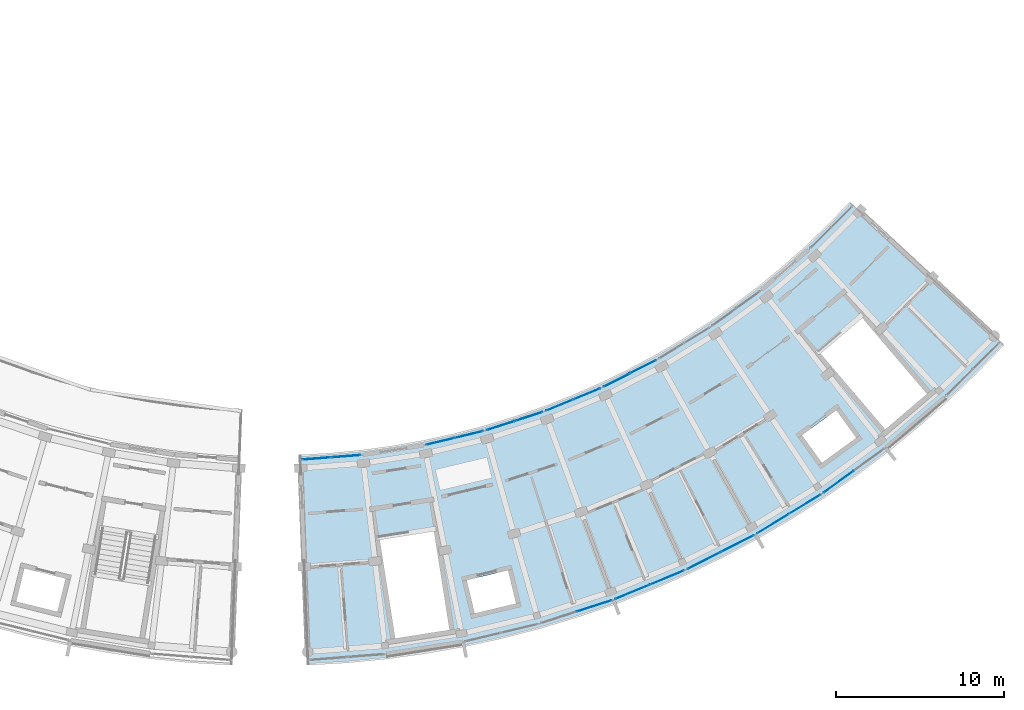
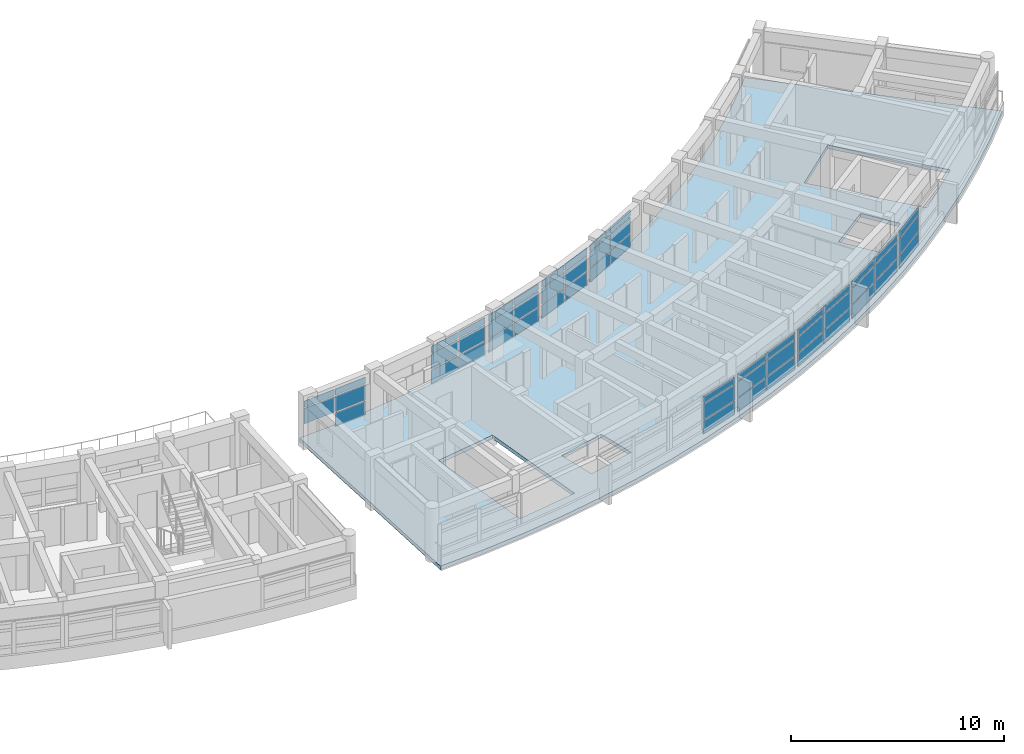
# One storey, part 25 of 54: 53 plates, 1 slab, 10 elements without a shape of their own.
"""IFC4 building model written with IfcOpenShell, lengths in metres."""

from ifc_helpers import new_model, si_unit, direction, frame, origin, origin_2d, place, context, subcontext, project, spatial, polyline, rectangle, outline, extrude, material, layer, layer_set, type_object, element, aggregate, save


model = new_model("IFC4")

# Units and contexts
model_context = context("Model", 3, precision=1e-05, world=origin(), true_north=direction((0.0, 1.0)))
body_context = subcontext(model_context, "Body", "Model", "MODEL_VIEW")
ifc_project = project(units=[si_unit("LENGTHUNIT", "METRE"), si_unit("AREAUNIT", "SQUARE_METRE"), si_unit("VOLUMEUNIT", "CUBIC_METRE"), si_unit("PLANEANGLEUNIT", "RADIAN"), si_unit("MASSUNIT", "GRAM", prefix="KILO")], contexts=[model_context])

# Site, building, storey
site_placement = place(None, origin())
site = spatial("IfcSite", under=ifc_project, at=site_placement, CompositionType="ELEMENT")
building_placement = place(site_placement, origin())
building = spatial("IfcBuilding", under=site, at=building_placement, Name="Zimvara Arc Housing Community", CompositionType="ELEMENT")
storey_placement = place(building_placement, frame((0.0, 0.0, 23.60009765625)))
storey = spatial("IfcBuildingStorey", under=building, at=storey_placement, Name="L07", CompositionType="ELEMENT", Elevation=23.60009765625)

# Curtain wall, plates
ifc_material_1 = material(Name="Anodised Aluminium AW-6063", Category="aluminium")
curtain_wall_type_1 = type_object("IfcCurtainWallType", Name="CW-SYS-08", PredefinedType="USERDEFINED", material=ifc_material_1)
curtain_wall_1_placement = place(storey_placement, origin())
curtain_wall_1 = element("IfcCurtainWall", 1, at=curtain_wall_1_placement, inside=storey, type_object=curtain_wall_type_1, Name="cw:blkD:L07:in:b0", ObjectType="CURTAIN WALL", PredefinedType="USERDEFINED")
ifc_material_2 = material(Name="Pale-Gold Anodised Aluminium Spandrel Panel", Category="aluminium")
ifc_layer_1 = layer(ifc_material_2, 0.035888671875)
ifc_layer_set_1 = layer_set([ifc_layer_1], Name="Pale-Gold Anodised Aluminium Spandrel Panel")
plate_type_1 = type_object("IfcPlateType", Name="CWP-GLD-36", PredefinedType="CURTAIN_PANEL", material=ifc_layer_set_1)
plate_1_placement = place(storey_placement, frame((128.7744140625, 62.55078125, 0.88232421875), z_axis=(0.0, 0.0, 1.0), x_axis=(0.996985524455, 0.077587782714, 0.0)))
plate_1 = element("IfcPlate", 2, at=plate_1_placement, type_object=plate_type_1, Name="CW08 panel 1.2", PredefinedType="CURTAIN_PANEL", context=body_context, shape_type="SweptSolid", body=[
    extrude(rectangle(XDim=1.7041015625, YDim=0.035888671875, at=origin_2d()), origin(), (0.0, 0.0, 1.0), 0.885009765625),
])
plate_2_placement = place(storey_placement, frame((128.7744140625, 62.55078125, 1.832275390625), z_axis=(0.0, 0.0, 1.0), x_axis=(0.996985524455, 0.077587782714, 0.0)))
plate_2 = element("IfcPlate", 3, at=plate_2_placement, type_object=plate_type_1, Name="CW08 panel 1.3", PredefinedType="CURTAIN_PANEL", context=body_context, shape_type="SweptSolid", body=[
    extrude(rectangle(XDim=1.7041015625, YDim=0.035888671875, at=origin_2d()), origin(), (0.0, 0.0, 1.0), 0.3525390625),
])
plate_3_placement = place(storey_placement, frame((130.538330078125, 62.68798828125, 0.06494140625), z_axis=(0.0, 0.0, 1.0), x_axis=(0.996985524455, 0.077587782714, 0.0)))
plate_3 = element("IfcPlate", 4, at=plate_3_placement, type_object=plate_type_1, Name="CW08 panel 2.1", PredefinedType="CURTAIN_PANEL", context=body_context, shape_type="SweptSolid", body=[
    extrude(rectangle(XDim=1.7041015625, YDim=0.035888671875, at=origin_2d()), origin(), (0.0, 0.0, 1.0), 0.75244140625),
])
plate_4_placement = place(storey_placement, frame((130.538330078125, 62.68798828125, 0.88232421875), z_axis=(0.0, 0.0, 1.0), x_axis=(0.996985524455, 0.077587782714, 0.0)))
plate_4 = element("IfcPlate", 5, at=plate_4_placement, type_object=plate_type_1, Name="CW08 panel 2.2", PredefinedType="CURTAIN_PANEL", context=body_context, shape_type="SweptSolid", body=[
    extrude(rectangle(XDim=1.7041015625, YDim=0.035888671875, at=origin_2d()), origin(), (0.0, 0.0, 1.0), 0.885009765625),
])
plate_5_placement = place(storey_placement, frame((130.538330078125, 62.68798828125, 1.832275390625), z_axis=(0.0, 0.0, 1.0), x_axis=(0.996985524455, 0.077587782714, 0.0)))
plate_5 = element("IfcPlate", 6, at=plate_5_placement, type_object=plate_type_1, Name="CW08 panel 2.3", PredefinedType="CURTAIN_PANEL", context=body_context, shape_type="SweptSolid", body=[
    extrude(rectangle(XDim=1.7041015625, YDim=0.035888671875, at=origin_2d()), origin(), (0.0, 0.0, 1.0), 0.3525390625),
])
aggregate(curtain_wall_1, [plate_1, plate_2, plate_3, plate_4, plate_5])

ifc_material_3 = material(Name="Anodised Aluminium AW-6063", Category="aluminium")
curtain_wall_type_2 = type_object("IfcCurtainWallType", Name="CW-SYS-04", PredefinedType="USERDEFINED", material=ifc_material_3)
curtain_wall_2_placement = place(storey_placement, origin())
curtain_wall_2 = element("IfcCurtainWall", 7, at=curtain_wall_2_placement, inside=storey, type_object=curtain_wall_type_2, Name="cw:blkD:L07:in:b3", ObjectType="CURTAIN WALL", PredefinedType="USERDEFINED")
plate_6_placement = place(storey_placement, frame((139.741455078125, 64.51025390625, 0.06494140625), z_axis=(0.0, 0.0, 1.0), x_axis=(0.951325950891, 0.308186526573, 0.0)))
plate_6 = element("IfcPlate", 8, at=plate_6_placement, type_object=plate_type_1, Name="CW04 panel 1.1", PredefinedType="CURTAIN_PANEL", context=body_context, shape_type="SweptSolid", body=[
    extrude(rectangle(XDim=1.7041015625, YDim=0.035888671875, at=origin_2d()), origin(), (0.0, 0.0, 1.0), 0.75244140625),
])
plate_7_placement = place(storey_placement, frame((139.741455078125, 64.51025390625, 0.88232421875), z_axis=(0.0, 0.0, 1.0), x_axis=(0.951325950891, 0.308186526573, 0.0)))
plate_7 = element("IfcPlate", 9, at=plate_7_placement, type_object=plate_type_1, Name="CW04 panel 1.2", PredefinedType="CURTAIN_PANEL", context=body_context, shape_type="SweptSolid", body=[
    extrude(rectangle(XDim=1.7041015625, YDim=0.035888671875, at=origin_2d()), origin(), (0.0, 0.0, 1.0), 0.885009765625),
])
plate_8_placement = place(storey_placement, frame((139.741455078125, 64.51025390625, 1.832275390625), z_axis=(0.0, 0.0, 1.0), x_axis=(0.951325950891, 0.308186526573, 0.0)))
plate_8 = element("IfcPlate", 10, at=plate_8_placement, type_object=plate_type_1, Name="CW04 panel 1.3", PredefinedType="CURTAIN_PANEL", context=body_context, shape_type="SweptSolid", body=[
    extrude(rectangle(XDim=1.7041015625, YDim=0.035888671875, at=origin_2d()), origin(), (0.0, 0.0, 1.0), 0.3525390625),
])
plate_9_placement = place(storey_placement, frame((141.424560546875, 65.055419921875, 0.06494140625), z_axis=(0.0, 0.0, 1.0), x_axis=(0.951325950891, 0.308186526573, 0.0)))
plate_9 = element("IfcPlate", 11, at=plate_9_placement, type_object=plate_type_1, Name="CW04 panel 2.1", PredefinedType="CURTAIN_PANEL", context=body_context, shape_type="SweptSolid", body=[
    extrude(rectangle(XDim=1.7041015625, YDim=0.035888671875, at=origin_2d()), origin(), (0.0, 0.0, 1.0), 0.75244140625),
])
plate_10_placement = place(storey_placement, frame((141.424560546875, 65.055419921875, 0.88232421875), z_axis=(0.0, 0.0, 1.0), x_axis=(0.951325950891, 0.308186526573, 0.0)))
plate_10 = element("IfcPlate", 12, at=plate_10_placement, type_object=plate_type_1, Name="CW04 panel 2.2", PredefinedType="CURTAIN_PANEL", context=body_context, shape_type="SweptSolid", body=[
    extrude(rectangle(XDim=1.7041015625, YDim=0.035888671875, at=origin_2d()), origin(), (0.0, 0.0, 1.0), 0.885009765625),
])
plate_11_placement = place(storey_placement, frame((141.424560546875, 65.055419921875, 1.832275390625), z_axis=(0.0, 0.0, 1.0), x_axis=(0.951325950891, 0.308186526573, 0.0)))
plate_11 = element("IfcPlate", 13, at=plate_11_placement, type_object=plate_type_1, Name="CW04 panel 2.3", PredefinedType="CURTAIN_PANEL", context=body_context, shape_type="SweptSolid", body=[
    extrude(rectangle(XDim=1.7041015625, YDim=0.035888671875, at=origin_2d()), origin(), (0.0, 0.0, 1.0), 0.3525390625),
])
aggregate(curtain_wall_2, [plate_6, plate_7, plate_8, plate_9, plate_10, plate_11])

curtain_wall_3_placement = place(storey_placement, origin())
curtain_wall_3 = element("IfcCurtainWall", 14, at=curtain_wall_3_placement, inside=storey, type_object=curtain_wall_type_1, Name="cw:blkD:L07:in:b5", ObjectType="CURTAIN WALL", PredefinedType="USERDEFINED")
plate_12_placement = place(storey_placement, frame((146.666259765625, 67.221435546875, 0.06494140625), z_axis=(0.0, 0.0, 1.0), x_axis=(0.891402061772, 0.453213376091, 0.0)))
plate_12 = element("IfcPlate", 15, at=plate_12_placement, type_object=plate_type_1, Name="CW08 panel 1.1", PredefinedType="CURTAIN_PANEL", context=body_context, shape_type="SweptSolid", body=[
    extrude(rectangle(XDim=1.7041015625, YDim=0.035888671875, at=origin_2d()), origin(), (0.0, 0.0, 1.0), 0.75244140625),
])
plate_13_placement = place(storey_placement, frame((146.666259765625, 67.221435546875, 0.88232421875), z_axis=(0.0, 0.0, 1.0), x_axis=(0.891402061772, 0.453213376091, 0.0)))
plate_13 = element("IfcPlate", 16, at=plate_13_placement, type_object=plate_type_1, Name="CW08 panel 1.2", PredefinedType="CURTAIN_PANEL", context=body_context, shape_type="SweptSolid", body=[
    extrude(rectangle(XDim=1.7041015625, YDim=0.035888671875, at=origin_2d()), origin(), (0.0, 0.0, 1.0), 0.885009765625),
])
plate_14_placement = place(storey_placement, frame((146.666259765625, 67.221435546875, 1.832275390625), z_axis=(0.0, 0.0, 1.0), x_axis=(0.891402061772, 0.453213376091, 0.0)))
plate_14 = element("IfcPlate", 17, at=plate_14_placement, type_object=plate_type_1, Name="CW08 panel 1.3", PredefinedType="CURTAIN_PANEL", context=body_context, shape_type="SweptSolid", body=[
    extrude(rectangle(XDim=1.7041015625, YDim=0.035888671875, at=origin_2d()), origin(), (0.0, 0.0, 1.0), 0.3525390625),
])
plate_15_placement = place(storey_placement, frame((148.243408203125, 68.023193359375, 0.06494140625), z_axis=(0.0, 0.0, 1.0), x_axis=(0.891402061772, 0.453213376091, 0.0)))
plate_15 = element("IfcPlate", 18, at=plate_15_placement, type_object=plate_type_1, Name="CW08 panel 2.1", PredefinedType="CURTAIN_PANEL", context=body_context, shape_type="SweptSolid", body=[
    extrude(rectangle(XDim=1.7041015625, YDim=0.035888671875, at=origin_2d()), origin(), (0.0, 0.0, 1.0), 0.75244140625),
])
plate_16_placement = place(storey_placement, frame((148.243408203125, 68.023193359375, 0.88232421875), z_axis=(0.0, 0.0, 1.0), x_axis=(0.891402061772, 0.453213376091, 0.0)))
plate_16 = element("IfcPlate", 19, at=plate_16_placement, type_object=plate_type_1, Name="CW08 panel 2.2", PredefinedType="CURTAIN_PANEL", context=body_context, shape_type="SweptSolid", body=[
    extrude(rectangle(XDim=1.7041015625, YDim=0.035888671875, at=origin_2d()), origin(), (0.0, 0.0, 1.0), 0.885009765625),
])
plate_17_placement = place(storey_placement, frame((148.243408203125, 68.023193359375, 1.832275390625), z_axis=(0.0, 0.0, 1.0), x_axis=(0.891402061772, 0.453213376091, 0.0)))
plate_17 = element("IfcPlate", 20, at=plate_17_placement, type_object=plate_type_1, Name="CW08 panel 2.3", PredefinedType="CURTAIN_PANEL", context=body_context, shape_type="SweptSolid", body=[
    extrude(rectangle(XDim=1.7041015625, YDim=0.035888671875, at=origin_2d()), origin(), (0.0, 0.0, 1.0), 0.3525390625),
])
aggregate(curtain_wall_3, [plate_12, plate_13, plate_14, plate_15, plate_16, plate_17])

ifc_material_4 = material(Name="Anodised Aluminium AW-6063", Category="aluminium")
curtain_wall_type_3 = type_object("IfcCurtainWallType", Name="CW-SYS-05", PredefinedType="USERDEFINED", material=ifc_material_4)
curtain_wall_4_placement = place(storey_placement, origin())
curtain_wall_4 = element("IfcCurtainWall", 21, at=curtain_wall_4_placement, inside=storey, type_object=curtain_wall_type_3, Name="cw:blkD:L07:out:b4", ObjectType="CURTAIN WALL", PredefinedType="USERDEFINED")
ifc_material_5 = material(Name="Solar Control Low-E Double Glazing", Category="glass")
ifc_layer_2 = layer(ifc_material_5, 0.02392578125)
ifc_layer_set_2 = layer_set([ifc_layer_2], Name="Solar Control Low-E Double Glazing")
plate_type_2 = type_object("IfcPlateType", Name="CWP-GLZ-24", PredefinedType="CURTAIN_PANEL", material=ifc_layer_set_2)
plate_18_placement = place(storey_placement, frame((147.603759765625, 54.594970703125, 0.06494140625), z_axis=(0.0, 0.0, 1.0), x_axis=(0.924213377749, 0.38187646221, 0.0)))
plate_18 = element("IfcPlate", 22, at=plate_18_placement, type_object=plate_type_2, Name="CW05 panel 1.1", PredefinedType="CURTAIN_PANEL", context=body_context, shape_type="SweptSolid", body=[
    extrude(rectangle(XDim=2.173828125, YDim=0.02392578125, at=origin_2d()), origin(), (0.0, 0.0, 1.0), 0.75244140625),
])
plate_19_placement = place(storey_placement, frame((147.603759765625, 54.594970703125, 0.88232421875), z_axis=(0.0, 0.0, 1.0), x_axis=(0.924213377749, 0.38187646221, 0.0)))
plate_19 = element("IfcPlate", 23, at=plate_19_placement, type_object=plate_type_2, Name="CW05 panel 1.2", PredefinedType="CURTAIN_PANEL", context=body_context, shape_type="SweptSolid", body=[
    extrude(rectangle(XDim=2.173828125, YDim=0.02392578125, at=origin_2d()), origin(), (0.0, 0.0, 1.0), 0.885009765625),
])
plate_20_placement = place(storey_placement, frame((147.603759765625, 54.594970703125, 1.832275390625), z_axis=(0.0, 0.0, 1.0), x_axis=(0.924213377749, 0.38187646221, 0.0)))
plate_20 = element("IfcPlate", 24, at=plate_20_placement, type_object=plate_type_2, Name="CW05 panel 1.3", PredefinedType="CURTAIN_PANEL", context=body_context, shape_type="SweptSolid", body=[
    extrude(rectangle(XDim=2.173828125, YDim=0.02392578125, at=origin_2d()), origin(), (0.0, 0.0, 1.0), 0.3525390625),
])
plate_21_placement = place(storey_placement, frame((149.6728515625, 55.449951171875, 0.06494140625), z_axis=(0.0, 0.0, 1.0), x_axis=(0.924213377749, 0.38187646221, 0.0)))
plate_21 = element("IfcPlate", 25, at=plate_21_placement, type_object=plate_type_2, Name="CW05 panel 2.1", PredefinedType="CURTAIN_PANEL", context=body_context, shape_type="SweptSolid", body=[
    extrude(rectangle(XDim=2.173828125, YDim=0.02392578125, at=origin_2d()), origin(), (0.0, 0.0, 1.0), 0.75244140625),
])
plate_22_placement = place(storey_placement, frame((149.6728515625, 55.449951171875, 0.88232421875), z_axis=(0.0, 0.0, 1.0), x_axis=(0.924213377749, 0.38187646221, 0.0)))
plate_22 = element("IfcPlate", 26, at=plate_22_placement, type_object=plate_type_2, Name="CW05 panel 2.2", PredefinedType="CURTAIN_PANEL", context=body_context, shape_type="SweptSolid", body=[
    extrude(rectangle(XDim=2.173828125, YDim=0.02392578125, at=origin_2d()), origin(), (0.0, 0.0, 1.0), 0.885009765625),
])
plate_23_placement = place(storey_placement, frame((149.6728515625, 55.449951171875, 1.832275390625), z_axis=(0.0, 0.0, 1.0), x_axis=(0.924213377749, 0.38187646221, 0.0)))
plate_23 = element("IfcPlate", 27, at=plate_23_placement, type_object=plate_type_2, Name="CW05 panel 2.3", PredefinedType="CURTAIN_PANEL", context=body_context, shape_type="SweptSolid", body=[
    extrude(rectangle(XDim=2.173828125, YDim=0.02392578125, at=origin_2d()), origin(), (0.0, 0.0, 1.0), 0.3525390625),
])
aggregate(curtain_wall_4, [plate_18, plate_19, plate_20, plate_21, plate_22, plate_23])

ifc_material_6 = material(Name="Anodised Aluminium AW-6063", Category="aluminium")
curtain_wall_type_4 = type_object("IfcCurtainWallType", Name="CW-SYS-01", PredefinedType="USERDEFINED", material=ifc_material_6)
curtain_wall_5_placement = place(storey_placement, origin())
curtain_wall_5 = element("IfcCurtainWall", 28, at=curtain_wall_5_placement, inside=storey, type_object=curtain_wall_type_4, Name="cw:blkD:L07:out:b6", ObjectType="CURTAIN WALL", PredefinedType="USERDEFINED")
plate_24_placement = place(storey_placement, frame((155.98291015625, 58.658203125, 0.06494140625), z_axis=(0.0, 0.0, 1.0), x_axis=(0.853095835272, 0.521754248513, 0.0)))
plate_24 = element("IfcPlate", 29, at=plate_24_placement, type_object=plate_type_2, Name="CW01 panel 1.1", PredefinedType="CURTAIN_PANEL", context=body_context, shape_type="SweptSolid", body=[
    extrude(rectangle(XDim=2.173828125, YDim=0.02392578125, at=origin_2d()), origin(), (0.0, 0.0, 1.0), 0.75244140625),
])
plate_25_placement = place(storey_placement, frame((155.98291015625, 58.658203125, 0.88232421875), z_axis=(0.0, 0.0, 1.0), x_axis=(0.853095835272, 0.521754248513, 0.0)))
plate_25 = element("IfcPlate", 30, at=plate_25_placement, type_object=plate_type_2, Name="CW01 panel 1.2", PredefinedType="CURTAIN_PANEL", context=body_context, shape_type="SweptSolid", body=[
    extrude(rectangle(XDim=2.173828125, YDim=0.02392578125, at=origin_2d()), origin(), (0.0, 0.0, 1.0), 0.885009765625),
])
plate_26_placement = place(storey_placement, frame((155.98291015625, 58.658203125, 1.832275390625), z_axis=(0.0, 0.0, 1.0), x_axis=(0.853095835272, 0.521754248513, 0.0)))
plate_26 = element("IfcPlate", 31, at=plate_26_placement, type_object=plate_type_2, Name="CW01 panel 1.3", PredefinedType="CURTAIN_PANEL", context=body_context, shape_type="SweptSolid", body=[
    extrude(rectangle(XDim=2.173828125, YDim=0.02392578125, at=origin_2d()), origin(), (0.0, 0.0, 1.0), 0.3525390625),
])
plate_27_placement = place(storey_placement, frame((157.892822265625, 59.826171875, 0.06494140625), z_axis=(0.0, 0.0, 1.0), x_axis=(0.853095835272, 0.521754248513, 0.0)))
plate_27 = element("IfcPlate", 32, at=plate_27_placement, type_object=plate_type_2, Name="CW01 panel 2.1", PredefinedType="CURTAIN_PANEL", context=body_context, shape_type="SweptSolid", body=[
    extrude(rectangle(XDim=2.173828125, YDim=0.02392578125, at=origin_2d()), origin(), (0.0, 0.0, 1.0), 0.75244140625),
])
plate_28_placement = place(storey_placement, frame((157.892822265625, 59.826171875, 0.88232421875), z_axis=(0.0, 0.0, 1.0), x_axis=(0.853095835272, 0.521754248513, 0.0)))
plate_28 = element("IfcPlate", 33, at=plate_28_placement, type_object=plate_type_2, Name="CW01 panel 2.2", PredefinedType="CURTAIN_PANEL", context=body_context, shape_type="SweptSolid", body=[
    extrude(rectangle(XDim=2.173828125, YDim=0.02392578125, at=origin_2d()), origin(), (0.0, 0.0, 1.0), 0.885009765625),
])
plate_29_placement = place(storey_placement, frame((157.892822265625, 59.826171875, 1.832275390625), z_axis=(0.0, 0.0, 1.0), x_axis=(0.853095835272, 0.521754248513, 0.0)))
plate_29 = element("IfcPlate", 34, at=plate_29_placement, type_object=plate_type_2, Name="CW01 panel 2.3", PredefinedType="CURTAIN_PANEL", context=body_context, shape_type="SweptSolid", body=[
    extrude(rectangle(XDim=2.173828125, YDim=0.02392578125, at=origin_2d()), origin(), (0.0, 0.0, 1.0), 0.3525390625),
])
aggregate(curtain_wall_5, [plate_24, plate_25, plate_26, plate_27, plate_28, plate_29])

ifc_material_7 = material(Name="Anodised Aluminium AW-6063", Category="aluminium")
curtain_wall_type_5 = type_object("IfcCurtainWallType", Name="CW-SYS-02", PredefinedType="USERDEFINED", material=ifc_material_7)
curtain_wall_6_placement = place(storey_placement, origin())
curtain_wall_6 = element("IfcCurtainWall", 35, at=curtain_wall_6_placement, inside=storey, type_object=curtain_wall_type_5, Name="cw:blkD:L07:in:b2", ObjectType="CURTAIN WALL", PredefinedType="USERDEFINED")
ifc_material_8 = material(Name="Solar Control Low-E Double Glazing", Category="glass")
ifc_layer_3 = layer(ifc_material_8, 0.028076171875)
ifc_layer_set_3 = layer_set([ifc_layer_3], Name="Solar Control Low-E Double Glazing")
plate_type_3 = type_object("IfcPlateType", Name="CWP-GLZ-28", PredefinedType="CURTAIN_PANEL", material=ifc_layer_set_3)
plate_30_placement = place(storey_placement, frame((136.140869140625, 63.5703125, 0.06494140625), z_axis=(0.0, 0.0, 1.0), x_axis=(0.972573200867, 0.232597009774, 0.0)))
plate_30 = element("IfcPlate", 36, at=plate_30_placement, type_object=plate_type_3, Name="CW02 panel 1.1", PredefinedType="CURTAIN_PANEL", context=body_context, shape_type="SweptSolid", body=[
    extrude(rectangle(XDim=1.7041015625, YDim=0.028076171875, at=origin_2d()), origin(), (0.0, 0.0, 1.0), 0.75244140625),
])
plate_31_placement = place(storey_placement, frame((136.140869140625, 63.5703125, 0.88232421875), z_axis=(0.0, 0.0, 1.0), x_axis=(0.972573200867, 0.232597009774, 0.0)))
plate_31 = element("IfcPlate", 37, at=plate_31_placement, type_object=plate_type_3, Name="CW02 panel 1.2", PredefinedType="CURTAIN_PANEL", context=body_context, shape_type="SweptSolid", body=[
    extrude(rectangle(XDim=1.7041015625, YDim=0.028076171875, at=origin_2d()), origin(), (0.0, 0.0, 1.0), 0.885009765625),
])
plate_32_placement = place(storey_placement, frame((136.140869140625, 63.5703125, 1.832275390625), z_axis=(0.0, 0.0, 1.0), x_axis=(0.972573200867, 0.232597009774, 0.0)))
plate_32 = element("IfcPlate", 38, at=plate_32_placement, type_object=plate_type_3, Name="CW02 panel 1.3", PredefinedType="CURTAIN_PANEL", context=body_context, shape_type="SweptSolid", body=[
    extrude(rectangle(XDim=1.7041015625, YDim=0.028076171875, at=origin_2d()), origin(), (0.0, 0.0, 1.0), 0.3525390625),
])
plate_33_placement = place(storey_placement, frame((137.861572265625, 63.98193359375, 0.06494140625), z_axis=(0.0, 0.0, 1.0), x_axis=(0.972573200867, 0.232597009774, 0.0)))
plate_33 = element("IfcPlate", 39, at=plate_33_placement, type_object=plate_type_3, Name="CW02 panel 2.1", PredefinedType="CURTAIN_PANEL", context=body_context, shape_type="SweptSolid", body=[
    extrude(rectangle(XDim=1.7041015625, YDim=0.028076171875, at=origin_2d()), origin(), (0.0, 0.0, 1.0), 0.75244140625),
])
plate_34_placement = place(storey_placement, frame((137.861572265625, 63.98193359375, 0.88232421875), z_axis=(0.0, 0.0, 1.0), x_axis=(0.972573200867, 0.232597009774, 0.0)))
plate_34 = element("IfcPlate", 40, at=plate_34_placement, type_object=plate_type_3, Name="CW02 panel 2.2", PredefinedType="CURTAIN_PANEL", context=body_context, shape_type="SweptSolid", body=[
    extrude(rectangle(XDim=1.7041015625, YDim=0.028076171875, at=origin_2d()), origin(), (0.0, 0.0, 1.0), 0.885009765625),
])
plate_35_placement = place(storey_placement, frame((137.861572265625, 63.98193359375, 1.832275390625), z_axis=(0.0, 0.0, 1.0), x_axis=(0.972573200867, 0.232597009774, 0.0)))
plate_35 = element("IfcPlate", 41, at=plate_35_placement, type_object=plate_type_3, Name="CW02 panel 2.3", PredefinedType="CURTAIN_PANEL", context=body_context, shape_type="SweptSolid", body=[
    extrude(rectangle(XDim=1.7041015625, YDim=0.028076171875, at=origin_2d()), origin(), (0.0, 0.0, 1.0), 0.3525390625),
])
aggregate(curtain_wall_6, [plate_30, plate_31, plate_32, plate_33, plate_34, plate_35])

ifc_material_9 = material(Name="Anodised Aluminium AW-6063", Category="aluminium")
curtain_wall_type_6 = type_object("IfcCurtainWallType", Name="CW-SYS-06", PredefinedType="USERDEFINED", material=ifc_material_9)
curtain_wall_7_placement = place(storey_placement, origin())
curtain_wall_7 = element("IfcCurtainWall", 42, at=curtain_wall_7_placement, inside=storey, type_object=curtain_wall_type_6, Name="cw:blkD:L07:in:b4", ObjectType="CURTAIN WALL", PredefinedType="USERDEFINED")
plate_36_placement = place(storey_placement, frame((143.257080078125, 65.729736328125, 0.06494140625), z_axis=(0.0, 0.0, 1.0), x_axis=(0.924212735561, 0.381878016422, 0.0)))
plate_36 = element("IfcPlate", 43, at=plate_36_placement, type_object=plate_type_3, Name="CW06 panel 1.1", PredefinedType="CURTAIN_PANEL", context=body_context, shape_type="SweptSolid", body=[
    extrude(rectangle(XDim=1.7041015625, YDim=0.028076171875, at=origin_2d()), origin(), (0.0, 0.0, 1.0), 0.75244140625),
])
plate_37_placement = place(storey_placement, frame((143.257080078125, 65.729736328125, 0.88232421875), z_axis=(0.0, 0.0, 1.0), x_axis=(0.924212735561, 0.381878016422, 0.0)))
plate_37 = element("IfcPlate", 44, at=plate_37_placement, type_object=plate_type_3, Name="CW06 panel 1.2", PredefinedType="CURTAIN_PANEL", context=body_context, shape_type="SweptSolid", body=[
    extrude(rectangle(XDim=1.7041015625, YDim=0.028076171875, at=origin_2d()), origin(), (0.0, 0.0, 1.0), 0.885009765625),
])
plate_38_placement = place(storey_placement, frame((143.257080078125, 65.729736328125, 1.832275390625), z_axis=(0.0, 0.0, 1.0), x_axis=(0.924212735561, 0.381878016422, 0.0)))
plate_38 = element("IfcPlate", 45, at=plate_38_placement, type_object=plate_type_3, Name="CW06 panel 1.3", PredefinedType="CURTAIN_PANEL", context=body_context, shape_type="SweptSolid", body=[
    extrude(rectangle(XDim=1.7041015625, YDim=0.028076171875, at=origin_2d()), origin(), (0.0, 0.0, 1.0), 0.3525390625),
])
plate_39_placement = place(storey_placement, frame((144.89208984375, 66.405517578125, 0.06494140625), z_axis=(0.0, 0.0, 1.0), x_axis=(0.924212735561, 0.381878016422, 0.0)))
plate_39 = element("IfcPlate", 46, at=plate_39_placement, type_object=plate_type_3, Name="CW06 panel 2.1", PredefinedType="CURTAIN_PANEL", context=body_context, shape_type="SweptSolid", body=[
    extrude(rectangle(XDim=1.7041015625, YDim=0.028076171875, at=origin_2d()), origin(), (0.0, 0.0, 1.0), 0.75244140625),
])
plate_40_placement = place(storey_placement, frame((144.89208984375, 66.405517578125, 0.88232421875), z_axis=(0.0, 0.0, 1.0), x_axis=(0.924212735561, 0.381878016422, 0.0)))
plate_40 = element("IfcPlate", 47, at=plate_40_placement, type_object=plate_type_3, Name="CW06 panel 2.2", PredefinedType="CURTAIN_PANEL", context=body_context, shape_type="SweptSolid", body=[
    extrude(rectangle(XDim=1.7041015625, YDim=0.028076171875, at=origin_2d()), origin(), (0.0, 0.0, 1.0), 0.885009765625),
])
plate_41_placement = place(storey_placement, frame((144.89208984375, 66.405517578125, 1.832275390625), z_axis=(0.0, 0.0, 1.0), x_axis=(0.924212735561, 0.381878016422, 0.0)))
plate_41 = element("IfcPlate", 48, at=plate_41_placement, type_object=plate_type_3, Name="CW06 panel 2.3", PredefinedType="CURTAIN_PANEL", context=body_context, shape_type="SweptSolid", body=[
    extrude(rectangle(XDim=1.7041015625, YDim=0.028076171875, at=origin_2d()), origin(), (0.0, 0.0, 1.0), 0.3525390625),
])
aggregate(curtain_wall_7, [plate_36, plate_37, plate_38, plate_39, plate_40, plate_41])

ifc_material_10 = material(Name="Anodised Aluminium AW-6063", Category="aluminium")
curtain_wall_type_7 = type_object("IfcCurtainWallType", Name="CW-SYS-03", PredefinedType="USERDEFINED", material=ifc_material_10)
curtain_wall_8_placement = place(storey_placement, origin())
curtain_wall_8 = element("IfcCurtainWall", 49, at=curtain_wall_8_placement, inside=storey, type_object=curtain_wall_type_7, Name="cw:blkD:L07:out:b3", ObjectType="CURTAIN WALL", PredefinedType="USERDEFINED")
ifc_material_11 = material(Name="Acoustic Laminated Solar Glazing", Category="glass")
ifc_layer_4 = layer(ifc_material_11, 0.031982421875)
ifc_layer_set_4 = layer_set([ifc_layer_4], Name="Acoustic Laminated Solar Glazing")
plate_type_4 = type_object("IfcPlateType", Name="CWP-GLZ-32", PredefinedType="CURTAIN_PANEL", material=ifc_layer_set_4)
plate_42_placement = place(storey_placement, frame((145.330810546875, 53.7587890625, 0.06494140625), z_axis=(0.0, 0.0, 1.0), x_axis=(0.951326460914, 0.308184952203, 0.0)))
plate_42 = element("IfcPlate", 50, at=plate_42_placement, type_object=plate_type_4, Name="CW03 panel 2.1", PredefinedType="CURTAIN_PANEL", context=body_context, shape_type="SweptSolid", body=[
    extrude(rectangle(XDim=2.173828125, YDim=0.031982421875, at=origin_2d()), origin(), (0.0, 0.0, 1.0), 0.75244140625),
])
plate_43_placement = place(storey_placement, frame((145.330810546875, 53.7587890625, 0.88232421875), z_axis=(0.0, 0.0, 1.0), x_axis=(0.951326460914, 0.308184952203, 0.0)))
plate_43 = element("IfcPlate", 51, at=plate_43_placement, type_object=plate_type_4, Name="CW03 panel 2.2", PredefinedType="CURTAIN_PANEL", context=body_context, shape_type="SweptSolid", body=[
    extrude(rectangle(XDim=2.173828125, YDim=0.031982421875, at=origin_2d()), origin(), (0.0, 0.0, 1.0), 0.885009765625),
])
plate_44_placement = place(storey_placement, frame((145.330810546875, 53.7587890625, 1.832275390625), z_axis=(0.0, 0.0, 1.0), x_axis=(0.951326460914, 0.308184952203, 0.0)))
plate_44 = element("IfcPlate", 52, at=plate_44_placement, type_object=plate_type_4, Name="CW03 panel 2.3", PredefinedType="CURTAIN_PANEL", context=body_context, shape_type="SweptSolid", body=[
    extrude(rectangle(XDim=2.173828125, YDim=0.031982421875, at=origin_2d()), origin(), (0.0, 0.0, 1.0), 0.3525390625),
])
aggregate(curtain_wall_8, [plate_42, plate_43, plate_44])

ifc_material_12 = material(Name="Anodised Aluminium AW-6063", Category="aluminium")
curtain_wall_type_8 = type_object("IfcCurtainWallType", Name="CW-SYS-07", PredefinedType="USERDEFINED", material=ifc_material_12)
curtain_wall_9_placement = place(storey_placement, origin())
curtain_wall_9 = element("IfcCurtainWall", 53, at=curtain_wall_9_placement, inside=storey, type_object=curtain_wall_type_8, Name="cw:blkD:L07:out:b5", ObjectType="CURTAIN WALL", PredefinedType="USERDEFINED")
plate_45_placement = place(storey_placement, frame((151.873291015625, 56.4619140625, 0.06494140625), z_axis=(0.0, 0.0, 1.0), x_axis=(0.891402932954, 0.453211662605, 0.0)))
plate_45 = element("IfcPlate", 54, at=plate_45_placement, type_object=plate_type_4, Name="CW07 panel 1.1", PredefinedType="CURTAIN_PANEL", context=body_context, shape_type="SweptSolid", body=[
    extrude(rectangle(XDim=2.173828125, YDim=0.031982421875, at=origin_2d()), origin(), (0.0, 0.0, 1.0), 0.75244140625),
])
plate_46_placement = place(storey_placement, frame((151.873291015625, 56.4619140625, 0.88232421875), z_axis=(0.0, 0.0, 1.0), x_axis=(0.891402932954, 0.453211662605, 0.0)))
plate_46 = element("IfcPlate", 55, at=plate_46_placement, type_object=plate_type_4, Name="CW07 panel 1.2", PredefinedType="CURTAIN_PANEL", context=body_context, shape_type="SweptSolid", body=[
    extrude(rectangle(XDim=2.173828125, YDim=0.031982421875, at=origin_2d()), origin(), (0.0, 0.0, 1.0), 0.885009765625),
])
plate_47_placement = place(storey_placement, frame((151.873291015625, 56.4619140625, 1.832275390625), z_axis=(0.0, 0.0, 1.0), x_axis=(0.891402932954, 0.453211662605, 0.0)))
plate_47 = element("IfcPlate", 56, at=plate_47_placement, type_object=plate_type_4, Name="CW07 panel 1.3", PredefinedType="CURTAIN_PANEL", context=body_context, shape_type="SweptSolid", body=[
    extrude(rectangle(XDim=2.173828125, YDim=0.031982421875, at=origin_2d()), origin(), (0.0, 0.0, 1.0), 0.3525390625),
])
plate_48_placement = place(storey_placement, frame((153.868896484375, 57.4765625, 0.06494140625), z_axis=(0.0, 0.0, 1.0), x_axis=(0.891402932954, 0.453211662605, 0.0)))
plate_48 = element("IfcPlate", 57, at=plate_48_placement, type_object=plate_type_4, Name="CW07 panel 2.1", PredefinedType="CURTAIN_PANEL", context=body_context, shape_type="SweptSolid", body=[
    extrude(rectangle(XDim=2.173828125, YDim=0.031982421875, at=origin_2d()), origin(), (0.0, 0.0, 1.0), 0.75244140625),
])
plate_49_placement = place(storey_placement, frame((153.868896484375, 57.4765625, 0.88232421875), z_axis=(0.0, 0.0, 1.0), x_axis=(0.891402932954, 0.453211662605, 0.0)))
plate_49 = element("IfcPlate", 58, at=plate_49_placement, type_object=plate_type_4, Name="CW07 panel 2.2", PredefinedType="CURTAIN_PANEL", context=body_context, shape_type="SweptSolid", body=[
    extrude(rectangle(XDim=2.173828125, YDim=0.031982421875, at=origin_2d()), origin(), (0.0, 0.0, 1.0), 0.885009765625),
])
plate_50_placement = place(storey_placement, frame((153.868896484375, 57.4765625, 1.832275390625), z_axis=(0.0, 0.0, 1.0), x_axis=(0.891402932954, 0.453211662605, 0.0)))
plate_50 = element("IfcPlate", 59, at=plate_50_placement, type_object=plate_type_4, Name="CW07 panel 2.3", PredefinedType="CURTAIN_PANEL", context=body_context, shape_type="SweptSolid", body=[
    extrude(rectangle(XDim=2.173828125, YDim=0.031982421875, at=origin_2d()), origin(), (0.0, 0.0, 1.0), 0.3525390625),
])
aggregate(curtain_wall_9, [plate_45, plate_46, plate_47, plate_48, plate_49, plate_50])

curtain_wall_10_placement = place(storey_placement, origin())
curtain_wall_10 = element("IfcCurtainWall", 60, at=curtain_wall_10_placement, inside=storey, type_object=curtain_wall_type_7, Name="cw:blkD:L07:out:b7", ObjectType="CURTAIN WALL", PredefinedType="USERDEFINED")
plate_51_placement = place(storey_placement, frame((159.90771484375, 61.169921875, 0.06494140625), z_axis=(0.0, 0.0, 1.0), x_axis=(0.809530431263, 0.587077917196, 0.0)))
plate_51 = element("IfcPlate", 61, at=plate_51_placement, type_object=plate_type_4, Name="CW03 panel 1.1", PredefinedType="CURTAIN_PANEL", context=body_context, shape_type="SweptSolid", body=[
    extrude(rectangle(XDim=2.173828125, YDim=0.031982421875, at=origin_2d()), origin(), (0.0, 0.0, 1.0), 0.75244140625),
])
plate_52_placement = place(storey_placement, frame((159.90771484375, 61.169921875, 0.88232421875), z_axis=(0.0, 0.0, 1.0), x_axis=(0.809530431263, 0.587077917196, 0.0)))
plate_52 = element("IfcPlate", 62, at=plate_52_placement, type_object=plate_type_4, Name="CW03 panel 1.2", PredefinedType="CURTAIN_PANEL", context=body_context, shape_type="SweptSolid", body=[
    extrude(rectangle(XDim=2.173828125, YDim=0.031982421875, at=origin_2d()), origin(), (0.0, 0.0, 1.0), 0.885009765625),
])
plate_53_placement = place(storey_placement, frame((159.90771484375, 61.169921875, 1.832275390625), z_axis=(0.0, 0.0, 1.0), x_axis=(0.809530431263, 0.587077917196, 0.0)))
plate_53 = element("IfcPlate", 63, at=plate_53_placement, type_object=plate_type_4, Name="CW03 panel 1.3", PredefinedType="CURTAIN_PANEL", context=body_context, shape_type="SweptSolid", body=[
    extrude(rectangle(XDim=2.173828125, YDim=0.031982421875, at=origin_2d()), origin(), (0.0, 0.0, 1.0), 0.3525390625),
])
aggregate(curtain_wall_10, [plate_51, plate_52, plate_53])

# Slab
ifc_material_13 = material(Name="Concrete C35/45", Category="concrete")
ifc_layer_5 = layer(ifc_material_13, 0.214111328125)
ifc_layer_set_5 = layer_set([ifc_layer_5], Name="Concrete C35/45")
slab_type = type_object("IfcSlabType", Name="SLB-VAR-02", PredefinedType="FLOOR", material=ifc_layer_set_5)
slab_placement = place(storey_placement, frame((0.0, 0.0, -0.214111328125)))
element("IfcSlab", 64, at=slab_placement, inside=storey, type_object=slab_type, Name="slab:blkD:L07:main", PredefinedType="FLOOR", context=body_context, shape_type="SweptSolid", body=[
    extrude(outline(polyline([(128.267822265625, 50.303955078125), (130.604248046875, 50.439697265625), (132.93359375, 50.6669921875), (135.252197265625, 50.985595703125), (137.556396484375, 51.39501953125), (139.8427734375, 51.89453125), (142.10791015625, 52.483642578125), (144.347900390625, 53.160888671875), (146.559814453125, 53.92578125), (148.739990234375, 54.77685546875), (150.884765625, 55.712890625), (152.991455078125, 56.732421875), (155.056396484375, 57.833740234375), (157.07666015625, 59.015380859375), (159.048828125, 60.275634765625), (160.969970703125, 61.612060546875), (162.837158203125, 63.02294921875), (164.6474609375, 64.506103515625), (166.3984375, 66.05908203125), (168.086669921875, 67.6796875), (169.710205078125, 69.365234375), (160.612060546875, 77.790283203125), (159.326416015625, 76.45556640625), (157.9892578125, 75.172119140625), (156.6025390625, 73.942138671875), (155.1689453125, 72.767578125), (153.690185546875, 71.650146484375), (152.168701171875, 70.591796875), (150.606689453125, 69.593994140625), (149.007080078125, 68.657958984375), (147.37158203125, 67.785888671875), (145.703369140625, 66.978515625), (144.004638671875, 66.237060546875), (142.278076171875, 65.563232421875), (140.5263671875, 64.95751953125), (138.75244140625, 64.4208984375), (136.95849609375, 63.95458984375), (135.14794921875, 63.558837890625), (133.322998046875, 63.234619140625), (131.48681640625, 62.982421875), (129.64208984375, 62.80224609375), (127.7919921875, 62.69482421875), (128.267822265625, 50.303955078125)]), holes=[polyline([(135.751953125, 58.35302734375), (136.700927734375, 52.327392578125), (133.4609375, 51.817138671875), (132.511962890625, 57.8427734375), (135.751953125, 58.35302734375)]), polyline([(161.224365234375, 71.049072265625), (165.181884765625, 66.4072265625), (162.685791015625, 64.279052734375), (158.728271484375, 68.921142578125), (161.224365234375, 71.049072265625)]), polyline([(140.194091796875, 55.8857421875), (140.66845703125, 53.90185546875), (138.1982421875, 53.31103515625), (137.7236328125, 55.294921875), (140.194091796875, 55.8857421875)]), polyline([(159.76708984375, 65.433837890625), (160.96484375, 63.782470703125), (158.908447265625, 62.291259765625), (157.7109375, 63.942626953125), (159.76708984375, 65.433837890625)])]), origin(), (0.0, 0.0, 1.0), 0.214111328125),
])

save(model, "model.ifc")
